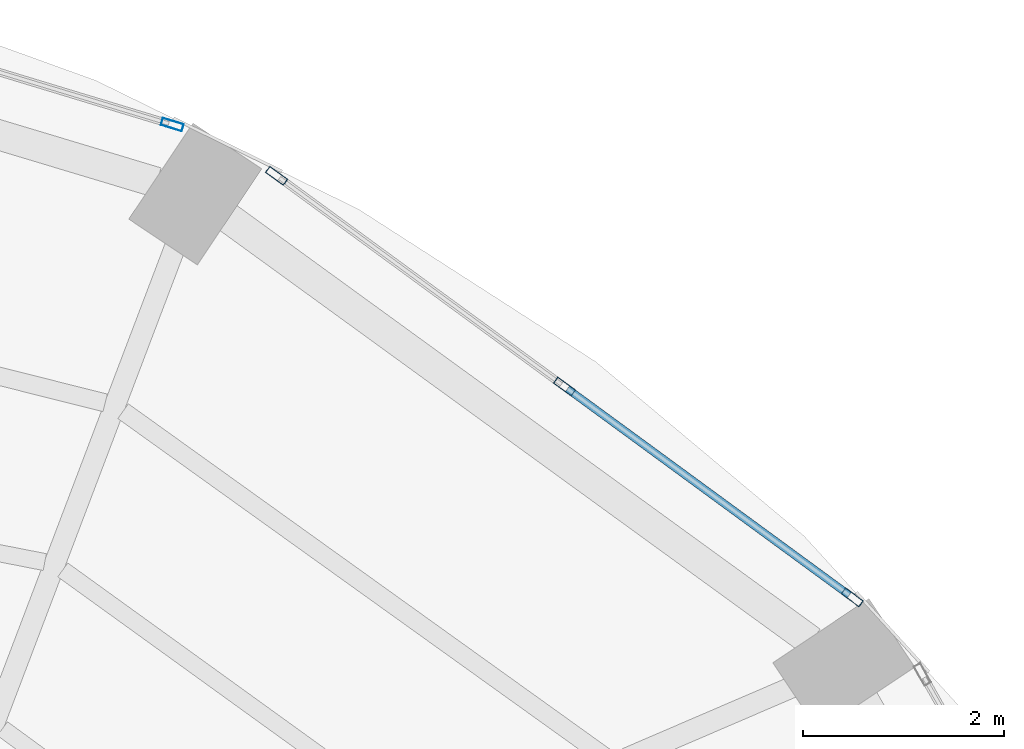
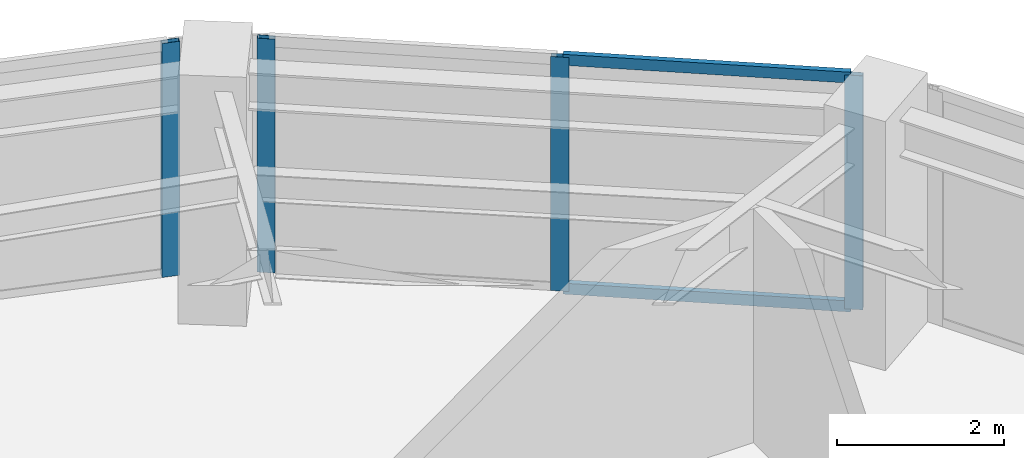
# One storey, part 14 of 20: 6 members, 2 elements without a shape of their own.
"""IFC4 building model written with IfcOpenShell, lengths in metres."""

from ifc_helpers import new_model, si_unit, direction, frame, origin, origin_2d, place, context, subcontext, project, spatial, hollow_rectangle, extrude, material, layer, layer_set, material_profile, profile_set, type_object, element, aggregate, save


model = new_model("IFC4")

# Units and contexts
model_context = context("Model", 3, precision=1e-05, world=origin(), true_north=direction((0.0, 1.0)))
body_context = subcontext(model_context, "Body", "Model", "MODEL_VIEW")
ifc_project = project(units=[si_unit("LENGTHUNIT", "METRE"), si_unit("AREAUNIT", "SQUARE_METRE"), si_unit("VOLUMEUNIT", "CUBIC_METRE"), si_unit("PLANEANGLEUNIT", "RADIAN"), si_unit("MASSUNIT", "GRAM", prefix="KILO")], contexts=[model_context])

# Site, building, storey
site_placement = place(None, origin())
site = spatial("IfcSite", under=ifc_project, at=site_placement, CompositionType="ELEMENT")
building_placement = place(site_placement, origin())
building = spatial("IfcBuilding", under=site, at=building_placement, Name="Lazwardi Medical Tower", CompositionType="ELEMENT")
storey_placement = place(building_placement, frame((0.0, 0.0, 178.416015625)))
storey = spatial("IfcBuildingStorey", under=building, at=storey_placement, Name="L46", CompositionType="ELEMENT", Elevation=178.416015625)

# Curtain wall, members
ifc_material_1 = material(Name="Anodised bronze aluminium and solar control glazing", Category="aluminium")
ifc_layer = layer(ifc_material_1, 0.195068359375)
ifc_layer_set = layer_set([ifc_layer], Name="Anodised bronze aluminium and solar control glazing")
curtain_wall_type = type_object("IfcCurtainWallType", Name="CW-SYS-03", PredefinedType="NOTDEFINED", material=ifc_layer_set)
curtain_wall_1_placement = place(storey_placement, origin())
curtain_wall_1 = element("IfcCurtainWall", 1, at=curtain_wall_1_placement, inside=storey, type_object=curtain_wall_type, Name="L46 Unitised bronze curtain wall CW-03", PredefinedType="NOTDEFINED")
ifc_material_2 = material(Name="Anodised bronze aluminium", Category="aluminium")
ifc_material_profile_1 = material_profile(ifc_material_2, hollow_rectangle(XDim=0.074951171875, YDim=0.219970703125, WallThickness=0.00390625, at=origin_2d()), Name="ALU-MULLION 220x75x4")
ifc_profile_set_1 = profile_set([ifc_material_profile_1], Name="Anodised bronze aluminium")
member_type_1 = type_object("IfcMemberType", Name="CW-MUL-01", PredefinedType="MULLION", material=ifc_profile_set_1)
member_1_placement = place(storey_placement, frame((55.519775390625, 40.5029296875, 0.0), z_axis=(0.0, 0.0, 1.0), x_axis=(-0.590833862635, -0.806793249082, 0.0)))
member_1 = element("IfcMember", 2, at=member_1_placement, type_object=member_type_1, Name="CW-03 mullion 1", PredefinedType="MULLION", context=body_context, shape_type="SweptSolid", body=[
    extrude(hollow_rectangle(XDim=0.074951171875, YDim=0.219970703125, WallThickness=0.00390625, at=origin_2d()), origin(), (0.0, 0.0, 1.0), 3.427978515625),
])
member_2_placement = place(storey_placement, frame((52.65771484375, 42.598876953125, 0.0), z_axis=(0.0, 0.0, 1.0), x_axis=(-0.590833862635, -0.806793249082, 0.0)))
member_2 = element("IfcMember", 3, at=member_2_placement, type_object=member_type_1, Name="CW-03 mullion 2", PredefinedType="MULLION", context=body_context, shape_type="SweptSolid", body=[
    extrude(hollow_rectangle(XDim=0.074951171875, YDim=0.219970703125, WallThickness=0.00390625, at=origin_2d()), origin(), (0.0, 0.0, 1.0), 3.427978515625),
])
member_3_placement = place(storey_placement, frame((49.795654296875, 44.69482421875, 0.0), z_axis=(0.0, 0.0, 1.0), x_axis=(-0.590833862635, -0.806793249082, 0.0)))
member_3 = element("IfcMember", 4, at=member_3_placement, type_object=member_type_1, Name="CW-03 mullion 3", PredefinedType="MULLION", context=body_context, shape_type="SweptSolid", body=[
    extrude(hollow_rectangle(XDim=0.074951171875, YDim=0.219970703125, WallThickness=0.00390625, at=origin_2d()), origin(), (0.0, 0.0, 1.0), 3.427978515625),
])

# Curtain wall, member
curtain_wall_2_placement = place(storey_placement, origin())
curtain_wall_2 = element("IfcCurtainWall", 5, at=curtain_wall_2_placement, inside=storey, type_object=curtain_wall_type, Name="L46 Unitised bronze curtain wall CW-03", PredefinedType="NOTDEFINED")
member_4_placement = place(storey_placement, frame((48.758056640625, 45.203369140625, 0.0), z_axis=(0.0, 0.0, 1.0), x_axis=(-0.290280785441, -0.956941516292, 0.0)))
member_4 = element("IfcMember", 6, at=member_4_placement, type_object=member_type_1, Name="CW-03 mullion 1", PredefinedType="MULLION", context=body_context, shape_type="SweptSolid", body=[
    extrude(hollow_rectangle(XDim=0.074951171875, YDim=0.219970703125, WallThickness=0.00390625, at=origin_2d()), origin(), (0.0, 0.0, 1.0), 3.427978515625),
])
aggregate(curtain_wall_2, [member_4])

# Member
ifc_material_profile_2 = material_profile(ifc_material_2, hollow_rectangle(XDim=0.074951171875, YDim=0.159912109375, WallThickness=0.00390625, at=origin_2d()), Name="ALU-TRANSOM 160x75x4")
ifc_profile_set_2 = profile_set([ifc_material_profile_2], Name="Anodised bronze aluminium")
member_type_2 = type_object("IfcMemberType", Name="CW-TRN-01", PredefinedType="USERDEFINED", material=ifc_profile_set_2)
member_5_placement = place(storey_placement, frame((55.489501953125, 40.525146484375, 0.03759765625), z_axis=(-0.806807161185, 0.590814864962, 0.0), x_axis=(-0.590814864962, -0.806807161185, 0.0)))
member_5 = element("IfcMember", 7, at=member_5_placement, type_object=member_type_2, Name="CW-03 transom 1.1", ObjectType="TRANSOM", PredefinedType="USERDEFINED", context=body_context, shape_type="SweptSolid", body=[
    extrude(hollow_rectangle(XDim=0.074951171875, YDim=0.159912109375, WallThickness=0.00390625, at=origin_2d()), origin(), (0.0, 0.0, 1.0), 3.472412109375),
])

member_6_placement = place(storey_placement, frame((55.489501953125, 40.525146484375, 3.390380859375), z_axis=(-0.806807161185, 0.590814864962, 0.0), x_axis=(-0.590814864962, -0.806807161185, 0.0)))
member_6 = element("IfcMember", 8, at=member_6_placement, type_object=member_type_2, Name="CW-03 transom 1.2", ObjectType="TRANSOM", PredefinedType="USERDEFINED", context=body_context, shape_type="SweptSolid", body=[
    extrude(hollow_rectangle(XDim=0.074951171875, YDim=0.159912109375, WallThickness=0.00390625, at=origin_2d()), origin(), (0.0, 0.0, 1.0), 3.472412109375),
])

aggregate(curtain_wall_1, [member_1, member_2, member_3, member_5, member_6])

save(model, "model.ifc")
